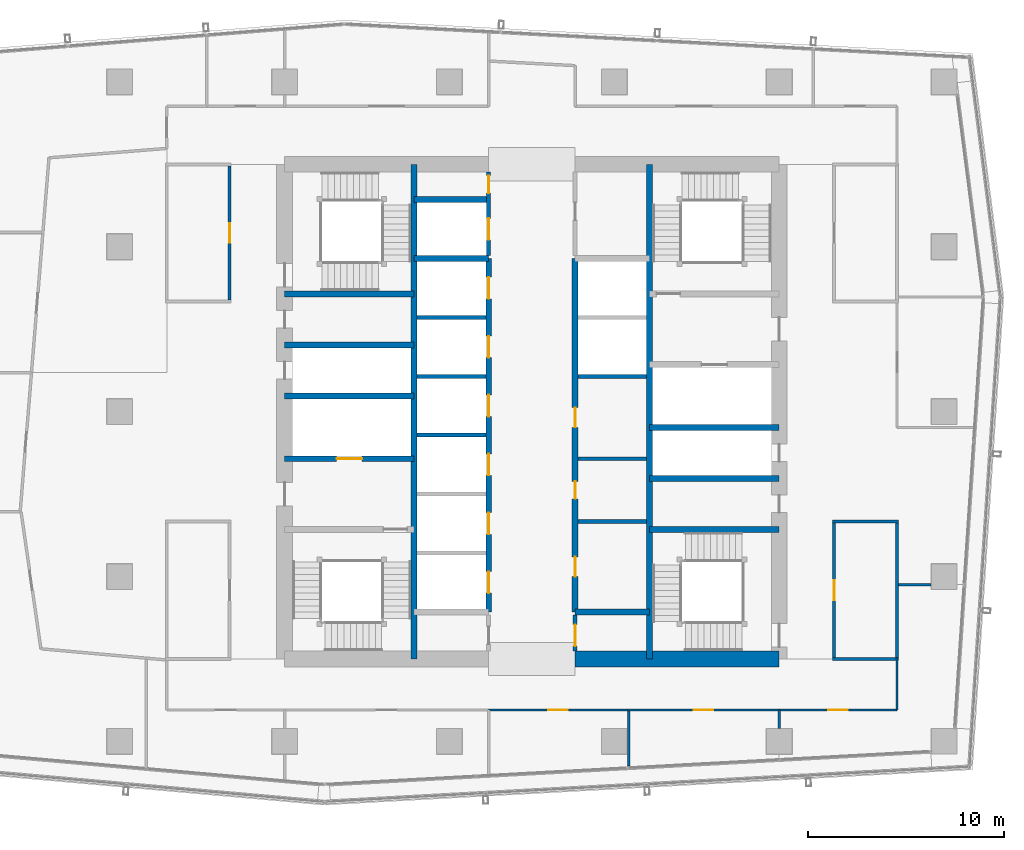
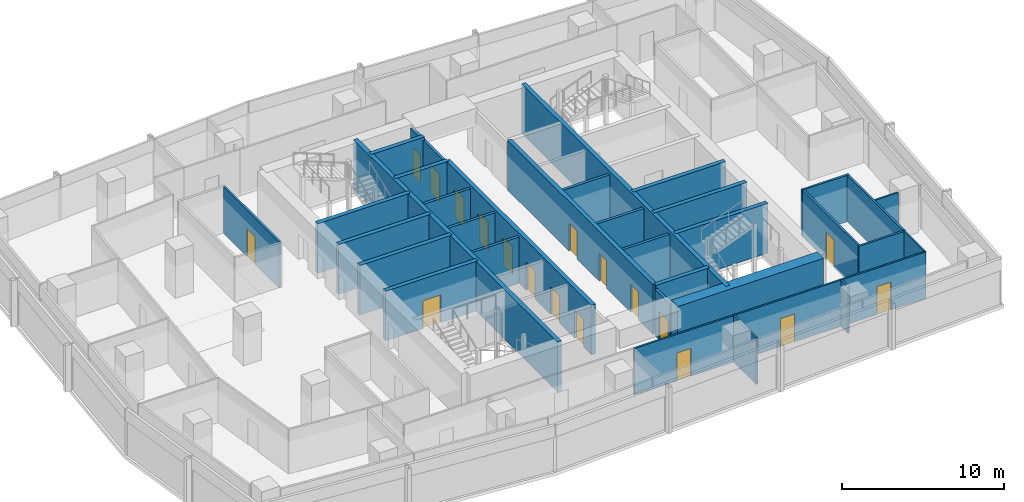
# One storey, part 23 of 29: 35 walls, 18 doors, 18 openings.
"""IFC4 building model written with IfcOpenShell, lengths in metres."""

import ifcopenshell
import ifcopenshell.guid

model = None  # the IFC model being written
_history = None  # IfcOwnerHistory: only IFC2X3 demands one
_inside = {}  # id of a spatial element -> (the spatial element, [elements in it])
_under = {}  # id of a project, library or spatial element -> (it, [spatial elements below it])
_declared = {}  # id of a project -> (the project, [libraries it declares])
_typed = {}  # id of a type object -> (the type object, [elements of that type])
_made_of = {}  # id of a material, layer set ... -> (it, [elements and type objects made of it])


def new_model(schema):
    """Start an empty IFC model of exactly this schema.

    Asked for "IFC4X3", IfcOpenShell would pick the latest addendum, in which some entities
    have other attributes; the version numbers below select the first issue.
    IFC2X3 requires an IfcOwnerHistory on every rooted entity: one is made here for all.
    """
    global model, _history
    if schema == "IFC4X3":
        model = ifcopenshell.file(schema_version=(4, 3, 0, 0))
    else:
        model = ifcopenshell.file(schema=schema)
    _inside.clear()
    _under.clear()
    _declared.clear()
    _typed.clear()
    _made_of.clear()
    _history = None
    if model.schema == "IFC2X3":
        org = make("IfcOrganization", Name="unknown")
        user = make(
            "IfcPersonAndOrganization",
            ThePerson=make("IfcPerson", FamilyName="unknown"),
            TheOrganization=org,
        )
        app = make(
            "IfcApplication",
            ApplicationDeveloper=org,
            Version="unknown",
            ApplicationFullName="unknown",
            ApplicationIdentifier="unknown",
        )
        _history = make(
            "IfcOwnerHistory",
            OwningUser=user,
            OwningApplication=app,
            ChangeAction="ADDED",
            CreationDate=0,
        )
    return model


def make(cls, **values):
    """One entity of the class cls with the attributes given. An attribute that is None is left unset."""
    return model.create_entity(
        cls, **{name: value for name, value in values.items() if value is not None}
    )


def rooted(cls, **values):
    """An entity with a GlobalId (a new one), such as an element, a storey or a relation."""
    return make(cls, GlobalId=ifcopenshell.guid.new(), OwnerHistory=_history, **values)


def si_unit(unit_type, name, prefix=None):
    """IfcSIUnit, for example si_unit("LENGTHUNIT", "METRE", prefix="MILLI")."""
    return make("IfcSIUnit", UnitType=unit_type, Prefix=prefix, Name=name)


def assignment(units):
    """IfcUnitAssignment: the units of a project."""
    return None if units is None else make("IfcUnitAssignment", Units=units)


def point(xyz):
    """IfcCartesianPoint."""
    return None if xyz is None else make("IfcCartesianPoint", Coordinates=xyz)


def direction(xyz):
    """IfcDirection."""
    return None if xyz is None else make("IfcDirection", DirectionRatios=xyz)


def frame(location, z_axis=None, x_axis=None):
    """IfcAxis2Placement3D, a coordinate frame: its origin and axes. An axis left out is left unset."""
    return make(
        "IfcAxis2Placement3D",
        Location=point(location),
        Axis=direction(z_axis),
        RefDirection=direction(x_axis),
    )


def frame_2d(location, x_axis=None):
    """IfcAxis2Placement2D, a coordinate frame in the plane: its origin and x axis."""
    return make(
        "IfcAxis2Placement2D", Location=point(location), RefDirection=direction(x_axis)
    )


def origin():
    """The frame at (0, 0, 0) with its axes left unset."""
    return frame((0.0, 0.0, 0.0))


def place(relative_to, where):
    """IfcLocalPlacement: puts the frame where relative to a parent placement (None: the world)."""
    return make(
        "IfcLocalPlacement", PlacementRelTo=relative_to, RelativePlacement=where
    )


def context(
    kind, dimensions, precision=None, world=None, true_north=None, identifier=None
):
    """IfcGeometricRepresentationContext, for example the 3D "Model" context."""
    return make(
        "IfcGeometricRepresentationContext",
        ContextIdentifier=identifier,
        ContextType=kind,
        CoordinateSpaceDimension=dimensions,
        Precision=precision,
        WorldCoordinateSystem=world,
        TrueNorth=true_north,
    )


def subcontext(parent, identifier, kind, view, scale=None):
    """IfcGeometricRepresentationSubContext, for example "Body" below "Model"."""
    return make(
        "IfcGeometricRepresentationSubContext",
        ContextIdentifier=identifier,
        ContextType=kind,
        ParentContext=parent,
        TargetScale=scale,
        TargetView=view,
    )


def project(units=None, contexts=None):
    """IfcProject with its units and contexts."""
    return rooted(
        "IfcProject",
        Name="project",
        RepresentationContexts=contexts,
        UnitsInContext=assignment(units),
    )


def spatial(cls, under=None, at=None, **own):
    """A site, building, storey or space (cls), placed at a placement, below another one or the project."""
    s = rooted(cls, ObjectPlacement=at, **own)
    if under is not None:
        _under.setdefault(under.id(), (under, []))[1].append(s)
    return s


def profile(cls, at=None, kind="AREA", **sizes):
    """A parametric profile (cls). Its sizes go by their IFC names, for example OverallWidth=200.0."""
    return make(cls, ProfileType=kind, Position=at, **sizes)


def rectangle(**sizes):
    """IfcRectangleProfileDef."""
    return profile("IfcRectangleProfileDef", **sizes)


def extrude(swept, where, along, depth):
    """IfcExtrudedAreaSolid: the profile swept, set in the frame where, extruded along a direction by depth."""
    return make(
        "IfcExtrudedAreaSolid",
        SweptArea=swept,
        Position=where,
        ExtrudedDirection=direction(along),
        Depth=depth,
    )


def shape(context_of_items, identifier, shape_type, items):
    """IfcShapeRepresentation: the items that make up one representation, for example the "Body"."""
    return make(
        "IfcShapeRepresentation",
        ContextOfItems=context_of_items,
        RepresentationIdentifier=identifier,
        RepresentationType=shape_type,
        Items=items,
    )


def material(Name=None, Category=None):
    """IfcMaterial."""
    return make("IfcMaterial", Name=Name, Category=Category)


def layer(
    of_material, thickness, ventilated=None, Name=None, Category=None, Priority=None
):
    """IfcMaterialLayer: one layer of a wall or slab, of a material (None: an air gap)."""
    return make(
        "IfcMaterialLayer",
        Material=of_material,
        LayerThickness=thickness,
        IsVentilated=ventilated,
        Name=Name,
        Category=Category,
        Priority=Priority,
    )


def layer_set(layers, Name=None):
    """IfcMaterialLayerSet."""
    return make("IfcMaterialLayerSet", MaterialLayers=layers, LayerSetName=Name)


def made_of(thing, what):
    """Note that an element or type object is made of a material, layer set ...; save() writes the relation."""
    if what is not None:
        _made_of.setdefault(what.id(), (what, []))[1].append(thing)
    return thing


def type_object(cls, material=None, **own):
    """A type object (cls), such as IfcWallType, which elements share."""
    return made_of(rooted(cls, **own), material)


def element(
    cls,
    number,
    at=None,
    inside=None,
    cuts=None,
    type_object=None,
    material=None,
    context=None,
    identifier="Body",
    shape_type=None,
    held_by="IfcProductDefinitionShape",
    body=None,
    shapes=None,
    **own,
):
    """One element of the class cls, such as IfcWall. Its Tag is "e" and its number.

    at: its placement. inside: the storey or other place that contains it. cuts: it is an
    opening in that element (IfcRelVoidsElement). A single representation is given by context,
    identifier, shape_type and body (its items); several are given by shapes. held_by: the class
    of the entity that holds the representations. save() writes the other relations.
    """
    e = rooted(cls, Tag="e%d" % number, ObjectPlacement=at, **own)
    if body is not None:
        shapes = [shape(context, identifier, shape_type, body)]
    if shapes is not None:
        e.Representation = make(held_by, Representations=shapes)
    if inside is not None:
        _inside.setdefault(inside.id(), (inside, []))[1].append(e)
    if cuts is not None:
        rooted(
            "IfcRelVoidsElement", RelatingBuildingElement=cuts, RelatedOpeningElement=e
        )
    if type_object is not None:
        _typed.setdefault(type_object.id(), (type_object, []))[1].append(e)
    return made_of(e, material)


def fill(opening, filler):
    """IfcRelFillsElement: the door or window that sits in an opening."""
    return rooted(
        "IfcRelFillsElement",
        RelatingOpeningElement=opening,
        RelatedBuildingElement=filler,
    )


def aggregate(whole, parts):
    """IfcRelAggregates: a whole, such as a stair, and the parts it consists of."""
    return rooted("IfcRelAggregates", RelatingObject=whole, RelatedObjects=parts)


def save(model, path):
    """Write the relations noted so far, then the file.

    IfcRelAggregates (storeys below a building ...), IfcRelContainedInSpatialStructure (elements
    in a storey), IfcRelDefinesByType, IfcRelAssociatesMaterial and IfcRelDeclares: one each for
    every whole, place, type object, material and project.
    """
    for whole, parts in _under.values():
        aggregate(whole, parts)
    for where, things in _inside.values():
        rooted(
            "IfcRelContainedInSpatialStructure",
            RelatedElements=things,
            RelatingStructure=where,
        )
    for kind, things in _typed.values():
        rooted("IfcRelDefinesByType", RelatedObjects=things, RelatingType=kind)
    for what, things in _made_of.values():
        rooted("IfcRelAssociatesMaterial", RelatedObjects=things, RelatingMaterial=what)
    for by, libraries in _declared.values():
        rooted("IfcRelDeclares", RelatingContext=by, RelatedDefinitions=libraries)
    model.write(path)


model = new_model("IFC4")

# Units and contexts
model_context = context("Model", 3, precision=1e-05, world=origin(), true_north=direction((0.0, 1.0)))
body_context = subcontext(model_context, "Body", "Model", "MODEL_VIEW")
ifc_project = project(units=[si_unit("LENGTHUNIT", "METRE"), si_unit("AREAUNIT", "SQUARE_METRE"), si_unit("VOLUMEUNIT", "CUBIC_METRE"), si_unit("PLANEANGLEUNIT", "RADIAN"), si_unit("MASSUNIT", "GRAM", prefix="KILO")], contexts=[model_context])

# Site, building, storey
site_placement = place(None, origin())
site = spatial("IfcSite", under=ifc_project, at=site_placement, CompositionType="ELEMENT")
building_placement = place(site_placement, origin())
building = spatial("IfcBuilding", under=site, at=building_placement, Name="Rekha Terrace Tower", CompositionType="ELEMENT")
storey_placement = place(building_placement, frame((0.0, 0.0, 276.35009765625)))
storey = spatial("IfcBuildingStorey", under=building, at=storey_placement, Name="L70", CompositionType="ELEMENT", Elevation=276.35009765625)

# Walls
ifc_material_1 = material(Name="Concrete M60", Category="concrete")
ifc_layer_1 = layer(ifc_material_1, 0.300048828125)
ifc_layer_set_1 = layer_set([ifc_layer_1], Name="Concrete M60")
wall_type_1 = type_object("IfcWallType", Name="CI5 300 core internal shear wall", PredefinedType="SHEAR", material=ifc_layer_set_1)
for number, where, z_axis, x_axis, name in (
    (1, (31.800048828125, 21.0, 0.0), (0.0, 0.0, 1.0), (0.0, 1.0, 0.0), "Core wall X318 L70"),
    (2, (43.800048828125, 21.0, 0.0), (0.0, 0.0, 1.0), (0.0, 1.0, 0.0), "Core wall X438 L70"),
):
    element("IfcWall", number, at=place(storey_placement, frame(where, z_axis=z_axis, x_axis=x_axis)), inside=storey, type_object=wall_type_1, Name=name, PredefinedType="SHEAR", context=body_context, shape_type="SweptSolid", body=[
        extrude(rectangle(XDim=25.199951171875, YDim=0.300048828125, at=frame_2d((12.60009765625, 0.0))), origin(), (0.0, 0.0, 1.0), 3.75),
    ])

# Wall, openings, doors
wall_1_placement = place(storey_placement, frame((35.60009765625, 23.39990234375, 0.0), z_axis=(0.0, 0.0, 1.0), x_axis=(0.0, 1.0, 0.0)))
wall_1 = element("IfcWall", 3, at=wall_1_placement, inside=storey, type_object=wall_type_1, Name="Core wall X356 L70", PredefinedType="SHEAR", context=body_context, shape_type="SweptSolid", body=[
    extrude(rectangle(XDim=18.0, YDim=0.300048828125, at=frame_2d((9.0, 0.0))), origin(), (0.0, 0.0, 1.0), 3.75),
])
opening_1_placement = place(wall_1_placement, frame((0.949951171875, 0.0, 0.0)))
opening_1 = element("IfcOpeningElement", 4, at=opening_1_placement, cuts=wall_1, Name="Opening LD1", PredefinedType="OPENING", context=body_context, shape_type="SweptSolid", body=[
    extrude(rectangle(XDim=1.10009765625, YDim=2.10009765625, at=frame_2d((0.550048828125, 1.050048828125))), frame((0.0, 0.159912109375, 0.0), z_axis=(0.0, -1.0, 0.0), x_axis=(1.0, 0.0, 0.0)), (0.0, 0.0, 1.0), 0.320068359375),
])
opening_2_placement = place(wall_1_placement, frame((3.949951171875, 0.0, 0.0)))
opening_2 = element("IfcOpeningElement", 5, at=opening_2_placement, cuts=wall_1, Name="Opening LD1", PredefinedType="OPENING", context=body_context, shape_type="SweptSolid", body=[
    extrude(rectangle(XDim=1.10009765625, YDim=2.10009765625, at=frame_2d((0.550048828125, 1.050048828125))), frame((0.0, 0.159912109375, 0.0), z_axis=(0.0, -1.0, 0.0), x_axis=(1.0, 0.0, 0.0)), (0.0, 0.0, 1.0), 0.320068359375),
])
opening_3_placement = place(wall_1_placement, frame((6.949951171875, 0.0, 0.0)))
opening_3 = element("IfcOpeningElement", 6, at=opening_3_placement, cuts=wall_1, Name="Opening LD1", PredefinedType="OPENING", context=body_context, shape_type="SweptSolid", body=[
    extrude(rectangle(XDim=1.10009765625, YDim=2.10009765625, at=frame_2d((0.550048828125, 1.050048828125))), frame((0.0, 0.159912109375, 0.0), z_axis=(0.0, -1.0, 0.0), x_axis=(1.0, 0.0, 0.0)), (0.0, 0.0, 1.0), 0.320068359375),
])
opening_4_placement = place(wall_1_placement, frame((9.949951171875, 0.0, 0.0)))
opening_4 = element("IfcOpeningElement", 7, at=opening_4_placement, cuts=wall_1, Name="Opening LD1", PredefinedType="OPENING", context=body_context, shape_type="SweptSolid", body=[
    extrude(rectangle(XDim=1.10009765625, YDim=2.10009765625, at=frame_2d((0.550048828125, 1.050048828125))), frame((0.0, 0.159912109375, 0.0), z_axis=(0.0, -1.0, 0.0), x_axis=(1.0, 0.0, 0.0)), (0.0, 0.0, 1.0), 0.320068359375),
])
opening_5_placement = place(wall_1_placement, frame((12.949951171875, 0.0, 0.0)))
opening_5 = element("IfcOpeningElement", 8, at=opening_5_placement, cuts=wall_1, Name="Opening LD1", PredefinedType="OPENING", context=body_context, shape_type="SweptSolid", body=[
    extrude(rectangle(XDim=1.10009765625, YDim=2.10009765625, at=frame_2d((0.550048828125, 1.050048828125))), frame((0.0, 0.159912109375, 0.0), z_axis=(0.0, -1.0, 0.0), x_axis=(1.0, 0.0, 0.0)), (0.0, 0.0, 1.0), 0.320068359375),
])
opening_6_placement = place(wall_1_placement, frame((15.949951171875, 0.0, 0.0)))
opening_6 = element("IfcOpeningElement", 9, at=opening_6_placement, cuts=wall_1, Name="Opening LD1", PredefinedType="OPENING", context=body_context, shape_type="SweptSolid", body=[
    extrude(rectangle(XDim=1.10009765625, YDim=2.10009765625, at=frame_2d((0.550048828125, 1.050048828125))), frame((0.0, 0.159912109375, 0.0), z_axis=(0.0, -1.0, 0.0), x_axis=(1.0, 0.0, 0.0)), (0.0, 0.0, 1.0), 0.320068359375),
])
ifc_material_2 = material(Name="Stainless steel sliding landing door", Category="steel")
door_type_1 = type_object("IfcDoorType", Name="LD1 1100x2100 lift landing door", OperationType="SLIDING_TO_LEFT", PredefinedType="USERDEFINED", material=ifc_material_2)
door_1_placement = place(opening_1_placement, origin())
door_1 = element("IfcDoor", 10, at=door_1_placement, inside=storey, type_object=door_type_1, Name="Lift D1 landing door L70", ObjectType="LIFT LANDING DOOR", OperationType="SLIDING_TO_LEFT", OverallHeight=2.10009765625, OverallWidth=1.10009765625, PredefinedType="USERDEFINED", context=body_context, shape_type="SweptSolid", body=[
    extrude(rectangle(XDim=1.10009765625, YDim=2.10009765625, at=frame_2d((0.550048828125, 1.050048828125))), frame((0.0, 0.02490234375, 0.0), z_axis=(0.0, -1.0, 0.0), x_axis=(1.0, 0.0, 0.0)), (0.0, 0.0, 1.0), 0.050048828125),
])
fill(opening_1, door_1)
door_2_placement = place(opening_2_placement, origin())
door_2 = element("IfcDoor", 11, at=door_2_placement, inside=storey, type_object=door_type_1, Name="Lift D2 landing door L70", ObjectType="LIFT LANDING DOOR", OperationType="SLIDING_TO_LEFT", OverallHeight=2.10009765625, OverallWidth=1.10009765625, PredefinedType="USERDEFINED", context=body_context, shape_type="SweptSolid", body=[
    extrude(rectangle(XDim=1.10009765625, YDim=2.10009765625, at=frame_2d((0.550048828125, 1.050048828125))), frame((0.0, 0.02490234375, 0.0), z_axis=(0.0, -1.0, 0.0), x_axis=(1.0, 0.0, 0.0)), (0.0, 0.0, 1.0), 0.050048828125),
])
fill(opening_2, door_2)
door_3_placement = place(opening_3_placement, origin())
door_3 = element("IfcDoor", 12, at=door_3_placement, inside=storey, type_object=door_type_1, Name="Lift D3 landing door L70", ObjectType="LIFT LANDING DOOR", OperationType="SLIDING_TO_LEFT", OverallHeight=2.10009765625, OverallWidth=1.10009765625, PredefinedType="USERDEFINED", context=body_context, shape_type="SweptSolid", body=[
    extrude(rectangle(XDim=1.10009765625, YDim=2.10009765625, at=frame_2d((0.550048828125, 1.050048828125))), frame((0.0, 0.02490234375, 0.0), z_axis=(0.0, -1.0, 0.0), x_axis=(1.0, 0.0, 0.0)), (0.0, 0.0, 1.0), 0.050048828125),
])
fill(opening_3, door_3)
door_4_placement = place(opening_4_placement, origin())
door_4 = element("IfcDoor", 13, at=door_4_placement, inside=storey, type_object=door_type_1, Name="Lift D4 landing door L70", ObjectType="LIFT LANDING DOOR", OperationType="SLIDING_TO_LEFT", OverallHeight=2.10009765625, OverallWidth=1.10009765625, PredefinedType="USERDEFINED", context=body_context, shape_type="SweptSolid", body=[
    extrude(rectangle(XDim=1.10009765625, YDim=2.10009765625, at=frame_2d((0.550048828125, 1.050048828125))), frame((0.0, 0.02490234375, 0.0), z_axis=(0.0, -1.0, 0.0), x_axis=(1.0, 0.0, 0.0)), (0.0, 0.0, 1.0), 0.050048828125),
])
fill(opening_4, door_4)
door_5_placement = place(opening_5_placement, origin())
door_5 = element("IfcDoor", 14, at=door_5_placement, inside=storey, type_object=door_type_1, Name="Lift D5 landing door L70", ObjectType="LIFT LANDING DOOR", OperationType="SLIDING_TO_LEFT", OverallHeight=2.10009765625, OverallWidth=1.10009765625, PredefinedType="USERDEFINED", context=body_context, shape_type="SweptSolid", body=[
    extrude(rectangle(XDim=1.10009765625, YDim=2.10009765625, at=frame_2d((0.550048828125, 1.050048828125))), frame((0.0, 0.02490234375, 0.0), z_axis=(0.0, -1.0, 0.0), x_axis=(1.0, 0.0, 0.0)), (0.0, 0.0, 1.0), 0.050048828125),
])
fill(opening_5, door_5)
door_6_placement = place(opening_6_placement, origin())
door_6 = element("IfcDoor", 15, at=door_6_placement, inside=storey, type_object=door_type_1, Name="Lift D6 landing door L70", ObjectType="LIFT LANDING DOOR", OperationType="SLIDING_TO_LEFT", OverallHeight=2.10009765625, OverallWidth=1.10009765625, PredefinedType="USERDEFINED", context=body_context, shape_type="SweptSolid", body=[
    extrude(rectangle(XDim=1.10009765625, YDim=2.10009765625, at=frame_2d((0.550048828125, 1.050048828125))), frame((0.0, 0.02490234375, 0.0), z_axis=(0.0, -1.0, 0.0), x_axis=(1.0, 0.0, 0.0)), (0.0, 0.0, 1.0), 0.050048828125),
])
fill(opening_6, door_6)

wall_2_placement = place(storey_placement, frame((40.0, 23.39990234375, 0.0), z_axis=(0.0, 0.0, 1.0), x_axis=(0.0, 1.0, 0.0)))
wall_2 = element("IfcWall", 16, at=wall_2_placement, inside=storey, type_object=wall_type_1, Name="Core wall X400 L70", PredefinedType="SHEAR", context=body_context, shape_type="SweptSolid", body=[
    extrude(rectangle(XDim=18.0, YDim=0.300048828125, at=frame_2d((9.0, 0.0))), origin(), (0.0, 0.0, 1.0), 3.75),
])
opening_7_placement = place(wall_2_placement, frame((1.800048828125, 0.0, 0.0)))
opening_7 = element("IfcOpeningElement", 17, at=opening_7_placement, cuts=wall_2, Name="Opening D3", PredefinedType="OPENING", context=body_context, shape_type="SweptSolid", body=[
    extrude(rectangle(XDim=1.0, YDim=2.10009765625, at=frame_2d((0.5, 1.050048828125))), frame((0.0, 0.159912109375, 0.0), z_axis=(0.0, -1.0, 0.0), x_axis=(1.0, 0.0, 0.0)), (0.0, 0.0, 1.0), 0.320068359375),
])
opening_8_placement = place(wall_2_placement, frame((5.75, 0.0, 0.0)))
opening_8 = element("IfcOpeningElement", 18, at=opening_8_placement, cuts=wall_2, Name="Opening D5", PredefinedType="OPENING", context=body_context, shape_type="SweptSolid", body=[
    extrude(rectangle(XDim=0.89990234375, YDim=2.10009765625, at=frame_2d((0.449951171875, 1.050048828125))), frame((0.0, 0.159912109375, 0.0), z_axis=(0.0, -1.0, 0.0), x_axis=(1.0, 0.0, 0.0)), (0.0, 0.0, 1.0), 0.320068359375),
])
opening_9_placement = place(wall_2_placement, frame((9.39990234375, 0.0, 0.0)))
opening_9 = element("IfcOpeningElement", 19, at=opening_9_placement, cuts=wall_2, Name="Opening D3", PredefinedType="OPENING", context=body_context, shape_type="SweptSolid", body=[
    extrude(rectangle(XDim=1.0, YDim=2.10009765625, at=frame_2d((0.5, 1.050048828125))), frame((0.0, 0.159912109375, 0.0), z_axis=(0.0, -1.0, 0.0), x_axis=(1.0, 0.0, 0.0)), (0.0, 0.0, 1.0), 0.320068359375),
])
ifc_material_3 = material(Name="Laminated timber fire door", Category="wood")
door_type_2 = type_object("IfcDoorType", Name="D3 1000x2100 WC door", OperationType="SINGLE_SWING_LEFT", PredefinedType="DOOR", material=ifc_material_3)
door_7_placement = place(opening_7_placement, origin())
door_7 = element("IfcDoor", 20, at=door_7_placement, inside=storey, type_object=door_type_2, Name="Door staff wc L70", OperationType="SINGLE_SWING_LEFT", OverallHeight=2.10009765625, OverallWidth=1.0, PredefinedType="DOOR", context=body_context, shape_type="SweptSolid", body=[
    extrude(rectangle(XDim=1.0, YDim=2.10009765625, at=frame_2d((0.5, 1.050048828125))), frame((0.0, 0.02490234375, 0.0), z_axis=(0.0, -1.0, 0.0), x_axis=(1.0, 0.0, 0.0)), (0.0, 0.0, 1.0), 0.050048828125),
])
fill(opening_7, door_7)
door_8_placement = place(opening_9_placement, origin())
door_8 = element("IfcDoor", 21, at=door_8_placement, inside=storey, type_object=door_type_2, Name="Door staff wc L70", OperationType="SINGLE_SWING_LEFT", OverallHeight=2.10009765625, OverallWidth=1.0, PredefinedType="DOOR", context=body_context, shape_type="SweptSolid", body=[
    extrude(rectangle(XDim=1.0, YDim=2.10009765625, at=frame_2d((0.5, 1.050048828125))), frame((0.0, 0.02490234375, 0.0), z_axis=(0.0, -1.0, 0.0), x_axis=(1.0, 0.0, 0.0)), (0.0, 0.0, 1.0), 0.050048828125),
])
fill(opening_9, door_8)
ifc_material_4 = material(Name="Steel fire door", Category="steel")
door_type_3 = type_object("IfcDoorType", Name="D5 900x2100 riser access door", OperationType="SINGLE_SWING_LEFT", PredefinedType="DOOR", material=ifc_material_4)
door_9_placement = place(opening_8_placement, origin())
door_9 = element("IfcDoor", 22, at=door_9_placement, inside=storey, type_object=door_type_3, Name="Door records store L70", OperationType="SINGLE_SWING_LEFT", OverallHeight=2.10009765625, OverallWidth=0.89990234375, PredefinedType="DOOR", context=body_context, shape_type="SweptSolid", body=[
    extrude(rectangle(XDim=0.89990234375, YDim=2.10009765625, at=frame_2d((0.449951171875, 1.050048828125))), frame((0.0, 0.02490234375, 0.0), z_axis=(0.0, -1.0, 0.0), x_axis=(1.0, 0.0, 0.0)), (0.0, 0.0, 1.0), 0.050048828125),
])
fill(opening_8, door_9)

# Walls
for number, where, z_axis, x_axis, name in (
    (23, (31.800048828125, 41.39990234375, 0.0), (0.0, 0.0, 1.0), (1.0, 0.0, 0.0), "Core wall Y414W L70"),
    (24, (31.800048828125, 44.39990234375, 0.0), (0.0, 0.0, 1.0), (1.0, 0.0, 0.0), "Core wall Y444W L70"),
    (25, (40.0, 23.39990234375, 0.0), (0.0, 0.0, 1.0), (1.0, 0.0, 0.0), "Core wall Y234E L70"),
):
    element("IfcWall", number, at=place(storey_placement, frame(where, z_axis=z_axis, x_axis=x_axis)), inside=storey, type_object=wall_type_1, Name=name, PredefinedType="SHEAR", context=body_context, shape_type="SweptSolid", body=[
        extrude(rectangle(XDim=3.800048828125, YDim=0.300048828125, at=frame_2d((1.89990234375, 0.0))), origin(), (0.0, 0.0, 1.0), 3.75),
    ])

# Wall, opening, door
wall_3_placement = place(storey_placement, frame((25.199951171875, 31.199951171875, 0.0), z_axis=(0.0, 0.0, 1.0), x_axis=(1.0, 0.0, 0.0)))
wall_3 = element("IfcWall", 26, at=wall_3_placement, inside=storey, type_object=wall_type_1, Name="Core wall Y312W L70", PredefinedType="SHEAR", context=body_context, shape_type="SweptSolid", body=[
    extrude(rectangle(XDim=6.60009765625, YDim=0.300048828125, at=frame_2d((3.300048828125, 0.0))), origin(), (0.0, 0.0, 1.0), 3.75),
])
opening_10_placement = place(wall_3_placement, frame((2.64990234375, 0.0, 0.0)))
opening_10 = element("IfcOpeningElement", 27, at=opening_10_placement, cuts=wall_3, Name="Opening LD2", PredefinedType="OPENING", context=body_context, shape_type="SweptSolid", body=[
    extrude(rectangle(XDim=1.300048828125, YDim=2.10009765625, at=frame_2d((0.64990234375, 1.050048828125))), frame((0.0, 0.159912109375, 0.0), z_axis=(0.0, -1.0, 0.0), x_axis=(1.0, 0.0, 0.0)), (0.0, 0.0, 1.0), 0.320068359375),
])
door_type_4 = type_object("IfcDoorType", Name="LD2 1300x2100 fire lift landing door", OperationType="SLIDING_TO_LEFT", PredefinedType="USERDEFINED", material=ifc_material_2)
door_10_placement = place(opening_10_placement, origin())
door_10 = element("IfcDoor", 28, at=door_10_placement, inside=storey, type_object=door_type_4, Name="Lift FL1 landing door L70", ObjectType="LIFT LANDING DOOR", OperationType="SLIDING_TO_LEFT", OverallHeight=2.10009765625, OverallWidth=1.300048828125, PredefinedType="USERDEFINED", context=body_context, shape_type="SweptSolid", body=[
    extrude(rectangle(XDim=1.300048828125, YDim=2.10009765625, at=frame_2d((0.64990234375, 1.050048828125))), frame((0.0, 0.02490234375, 0.0), z_axis=(0.0, -1.0, 0.0), x_axis=(1.0, 0.0, 0.0)), (0.0, 0.0, 1.0), 0.050048828125),
])
fill(opening_10, door_10)

# Walls
for number, where, z_axis, x_axis, name in (
    (29, (25.199951171875, 34.39990234375, 0.0), (0.0, 0.0, 1.0), (1.0, 0.0, 0.0), "Core wall Y344W L70"),
    (30, (25.199951171875, 37.0, 0.0), (0.0, 0.0, 1.0), (1.0, 0.0, 0.0), "Core wall Y370W L70"),
    (31, (25.199951171875, 39.60009765625, 0.0), (0.0, 0.0, 1.0), (1.0, 0.0, 0.0), "Core wall Y396W L70"),
):
    element("IfcWall", number, at=place(storey_placement, frame(where, z_axis=z_axis, x_axis=x_axis)), inside=storey, type_object=wall_type_1, Name=name, PredefinedType="SHEAR", context=body_context, shape_type="SweptSolid", body=[
        extrude(rectangle(XDim=6.60009765625, YDim=0.300048828125, at=frame_2d((3.300048828125, 0.0))), origin(), (0.0, 0.0, 1.0), 3.75),
    ])
for number, where, z_axis, x_axis, name in (
    (32, (43.800048828125, 27.60009765625, 0.0), (0.0, 0.0, 1.0), (1.0, 0.0, 0.0), "Core wall Y276E L70"),
    (33, (43.800048828125, 30.199951171875, 0.0), (0.0, 0.0, 1.0), (1.0, 0.0, 0.0), "Core wall Y302E L70"),
    (34, (43.800048828125, 32.800048828125, 0.0), (0.0, 0.0, 1.0), (1.0, 0.0, 0.0), "Core wall Y328E L70"),
):
    element("IfcWall", number, at=place(storey_placement, frame(where, z_axis=z_axis, x_axis=x_axis)), inside=storey, type_object=wall_type_1, Name=name, PredefinedType="SHEAR", context=body_context, shape_type="SweptSolid", body=[
        extrude(rectangle(XDim=6.599853515625, YDim=0.300048828125, at=frame_2d((3.2998046875, 0.0))), origin(), (0.0, 0.0, 1.0), 3.75),
    ])
ifc_layer_2 = layer(ifc_material_1, 0.800048828125)
ifc_layer_set_2 = layer_set([ifc_layer_2], Name="Concrete M60")
wall_type_2 = type_object("IfcWallType", Name="SW5 800 core outer shear wall", PredefinedType="SHEAR", material=ifc_layer_set_2)
wall_4_placement = place(storey_placement, frame((40.0, 21.0, 0.0), z_axis=(0.0, 0.0, 1.0), x_axis=(1.0, 0.0, 0.0)))
element("IfcWall", 35, at=wall_4_placement, inside=storey, type_object=wall_type_2, Name="Core wall S2 L70", PredefinedType="SHEAR", context=body_context, shape_type="SweptSolid", body=[
    extrude(rectangle(XDim=10.39990234375, YDim=0.800048828125, at=frame_2d((5.199951171875, 0.0))), origin(), (0.0, 0.0, 1.0), 3.75),
])

# Wall, opening, door
ifc_material_5 = material(Name="Concrete block masonry, 1 hour", Category="masonry")
ifc_layer_3 = layer(ifc_material_5, 0.14990234375)
ifc_layer_set_3 = layer_set([ifc_layer_3], Name="Concrete block masonry, 1 hour")
wall_type_3 = type_object("IfcWallType", Name="WP2 150 tenancy partition", PredefinedType="PARTITIONING", material=ifc_layer_set_3)
wall_5_placement = place(storey_placement, frame((22.39990234375, 39.27490234375, 0.0), z_axis=(0.0, 0.0, 1.0), x_axis=(0.0, 1.0, 0.0)))
wall_5 = element("IfcWall", 36, at=wall_5_placement, inside=storey, type_object=wall_type_3, Name="Women's WC wall L70", PredefinedType="PARTITIONING", context=body_context, shape_type="SweptSolid", body=[
    extrude(rectangle(XDim=6.85009765625, YDim=0.14990234375, at=frame_2d((3.425048828125, 0.0))), origin(), (0.0, 0.0, 1.0), 3.5),
])
opening_11_placement = place(wall_5_placement, frame((2.925048828125, 0.0, 0.0)))
opening_11 = element("IfcOpeningElement", 37, at=opening_11_placement, cuts=wall_5, Name="Opening D3", PredefinedType="OPENING", context=body_context, shape_type="SweptSolid", body=[
    extrude(rectangle(XDim=1.0, YDim=2.10009765625, at=frame_2d((0.5, 1.050048828125))), frame((0.0, 0.0849609375, 0.0), z_axis=(0.0, -1.0, 0.0), x_axis=(1.0, 0.0, 0.0)), (0.0, 0.0, 1.0), 0.169921875),
])
door_11_placement = place(opening_11_placement, origin())
door_11 = element("IfcDoor", 38, at=door_11_placement, inside=storey, type_object=door_type_2, Name="Door women's wc L70", OperationType="SINGLE_SWING_LEFT", OverallHeight=2.10009765625, OverallWidth=1.0, PredefinedType="DOOR", context=body_context, shape_type="SweptSolid", body=[
    extrude(rectangle(XDim=1.0, YDim=2.10009765625, at=frame_2d((0.5, 1.050048828125))), frame((0.0, 0.02490234375, 0.0), z_axis=(0.0, -1.0, 0.0), x_axis=(1.0, 0.0, 0.0)), (0.0, 0.0, 1.0), 0.050048828125),
])
fill(opening_11, door_11)

# Walls
for number, where, z_axis, x_axis, name in (
    (39, (53.125, 21.0, 0.0), (0.0, 0.0, 1.0), (1.0, 0.0, 0.0), "Men's WC wall L70"),
    (40, (53.125, 28.0, 0.0), (0.0, 0.0, 1.0), (1.0, 0.0, 0.0), "Men's WC wall L70"),
):
    element("IfcWall", number, at=place(storey_placement, frame(where, z_axis=z_axis, x_axis=x_axis)), inside=storey, type_object=wall_type_3, Name=name, PredefinedType="PARTITIONING", context=body_context, shape_type="SweptSolid", body=[
        extrude(rectangle(XDim=3.35009765625, YDim=0.14990234375, at=frame_2d((1.675048828125, 0.0))), origin(), (0.0, 0.0, 1.0), 3.5),
    ])

# Wall, opening, door
wall_6_placement = place(storey_placement, frame((53.199951171875, 21.074951171875, 0.0), z_axis=(0.0, 0.0, 1.0), x_axis=(0.0, 1.0, 0.0)))
wall_6 = element("IfcWall", 41, at=wall_6_placement, inside=storey, type_object=wall_type_3, Name="Men's WC wall L70", PredefinedType="PARTITIONING", context=body_context, shape_type="SweptSolid", body=[
    extrude(rectangle(XDim=6.85009765625, YDim=0.14990234375, at=frame_2d((3.425048828125, 0.0))), origin(), (0.0, 0.0, 1.0), 3.5),
])
opening_12_placement = place(wall_6_placement, frame((2.925048828125, 0.0, 0.0)))
opening_12 = element("IfcOpeningElement", 42, at=opening_12_placement, cuts=wall_6, Name="Opening D3", PredefinedType="OPENING", context=body_context, shape_type="SweptSolid", body=[
    extrude(rectangle(XDim=1.0, YDim=2.10009765625, at=frame_2d((0.5, 1.050048828125))), frame((0.0, 0.0849609375, 0.0), z_axis=(0.0, -1.0, 0.0), x_axis=(1.0, 0.0, 0.0)), (0.0, 0.0, 1.0), 0.169921875),
])
door_12_placement = place(opening_12_placement, origin())
door_12 = element("IfcDoor", 43, at=door_12_placement, inside=storey, type_object=door_type_2, Name="Door men's wc L70", OperationType="SINGLE_SWING_LEFT", OverallHeight=2.10009765625, OverallWidth=1.0, PredefinedType="DOOR", context=body_context, shape_type="SweptSolid", body=[
    extrude(rectangle(XDim=1.0, YDim=2.10009765625, at=frame_2d((0.5, 1.050048828125))), frame((0.0, 0.02490234375, 0.0), z_axis=(0.0, -1.0, 0.0), x_axis=(1.0, 0.0, 0.0)), (0.0, 0.0, 1.0), 0.050048828125),
])
fill(opening_12, door_12)

# Wall
wall_7_placement = place(storey_placement, frame((56.39990234375, 21.074951171875, 0.0), z_axis=(0.0, 0.0, 1.0), x_axis=(0.0, 1.0, 0.0)))
element("IfcWall", 44, at=wall_7_placement, inside=storey, type_object=wall_type_3, Name="Men's WC wall L70", PredefinedType="PARTITIONING", context=body_context, shape_type="SweptSolid", body=[
    extrude(rectangle(XDim=6.85009765625, YDim=0.14990234375, at=frame_2d((3.425048828125, 0.0))), origin(), (0.0, 0.0, 1.0), 3.5),
])

# Wall, opening, door
ifc_material_6 = material(Name="Two layers of fire-rated gypsum board each side on steel studs, acoustic quilt, 1 hour", Category="steel")
ifc_layer_4 = layer(ifc_material_6, 0.125)
ifc_layer_set_4 = layer_set([ifc_layer_4], Name="Two layers of fire-rated gypsum board each side on steel studs, acoustic quilt, 1 hour")
wall_type_4 = type_object("IfcWallType", Name="WP3 125 office partition", PredefinedType="PARTITIONING", material=ifc_layer_set_4)
wall_8_placement = place(storey_placement, frame((35.59912109375, 18.39990234375, 0.0), z_axis=(0.0, 0.0, 1.0), x_axis=(1.0, 0.0, 0.0)))
wall_8 = element("IfcWall", 45, at=wall_8_placement, inside=storey, type_object=wall_type_4, Name="Partition L70-09", PredefinedType="PARTITIONING", context=body_context, shape_type="SweptSolid", body=[
    extrude(rectangle(XDim=7.073974609375, YDim=0.125, at=frame_2d((3.537109375, 0.0))), origin(), (0.0, 0.0, 1.0), 3.5),
])
opening_13_placement = place(wall_8_placement, frame((3.037109375, 0.0, 0.0)))
opening_13 = element("IfcOpeningElement", 46, at=opening_13_placement, cuts=wall_8, Name="Opening D9", PredefinedType="OPENING", context=body_context, shape_type="SweptSolid", body=[
    extrude(rectangle(XDim=1.0, YDim=2.10009765625, at=frame_2d((0.5, 1.050048828125))), frame((0.0, 0.072509765625, 0.0), z_axis=(0.0, -1.0, 0.0), x_axis=(1.0, 0.0, 0.0)), (0.0, 0.0, 1.0), 0.14501953125),
])
ifc_material_7 = material(Name="Timber fire door", Category="wood")
door_type_5 = type_object("IfcDoorType", Name="D9 1000x2100 office door", OperationType="SINGLE_SWING_LEFT", PredefinedType="DOOR", material=ifc_material_7)
door_13_placement = place(opening_13_placement, origin())
door_13 = element("IfcDoor", 47, at=door_13_placement, inside=storey, type_object=door_type_5, Name="Door wellness room L70", OperationType="SINGLE_SWING_LEFT", OverallHeight=2.10009765625, OverallWidth=1.0, PredefinedType="DOOR", context=body_context, shape_type="SweptSolid", body=[
    extrude(rectangle(XDim=1.0, YDim=2.10009765625, at=frame_2d((0.5, 1.050048828125))), frame((0.0, 0.02490234375, 0.0), z_axis=(0.0, -1.0, 0.0), x_axis=(1.0, 0.0, 0.0)), (0.0, 0.0, 1.0), 0.050048828125),
])
fill(opening_13, door_13)

# Wall
wall_9_placement = place(storey_placement, frame((42.741943359375, 18.3369140625, 0.0), z_axis=(0.0, 0.0, 1.0), x_axis=(0.0, -1.0, 0.0)))
element("IfcWall", 48, at=wall_9_placement, inside=storey, type_object=wall_type_4, Name="Partition L70-09", PredefinedType="PARTITIONING", context=body_context, shape_type="SweptSolid", body=[
    extrude(rectangle(XDim=2.798828125, YDim=0.125, at=frame_2d((1.3994140625, 0.0))), origin(), (0.0, 0.0, 1.0), 3.5),
])

# Wall, opening, door
wall_10_placement = place(storey_placement, frame((42.674072265625, 18.39990234375, 0.0), z_axis=(0.0, 0.0, 1.0), x_axis=(1.0, 0.0, 0.0)))
wall_10 = element("IfcWall", 49, at=wall_10_placement, inside=storey, type_object=wall_type_4, Name="Partition L70-10", PredefinedType="PARTITIONING", context=body_context, shape_type="SweptSolid", body=[
    extrude(rectangle(XDim=7.725830078125, YDim=0.125, at=frame_2d((3.86279296875, 0.0))), origin(), (0.0, 0.0, 1.0), 3.5),
])
opening_14_placement = place(wall_10_placement, frame((3.363037109375, 0.0, 0.0)))
opening_14 = element("IfcOpeningElement", 50, at=opening_14_placement, cuts=wall_10, Name="Opening D9", PredefinedType="OPENING", context=body_context, shape_type="SweptSolid", body=[
    extrude(rectangle(XDim=1.0, YDim=2.10009765625, at=frame_2d((0.5, 1.050048828125))), frame((0.0, 0.072509765625, 0.0), z_axis=(0.0, -1.0, 0.0), x_axis=(1.0, 0.0, 0.0)), (0.0, 0.0, 1.0), 0.14501953125),
])
door_14_placement = place(opening_14_placement, origin())
door_14 = element("IfcDoor", 51, at=door_14_placement, inside=storey, type_object=door_type_5, Name="Door board meeting room L70", OperationType="SINGLE_SWING_LEFT", OverallHeight=2.10009765625, OverallWidth=1.0, PredefinedType="DOOR", context=body_context, shape_type="SweptSolid", body=[
    extrude(rectangle(XDim=1.0, YDim=2.10009765625, at=frame_2d((0.5, 1.050048828125))), frame((0.0, 0.02490234375, 0.0), z_axis=(0.0, -1.0, 0.0), x_axis=(1.0, 0.0, 0.0)), (0.0, 0.0, 1.0), 0.050048828125),
])
fill(opening_14, door_14)

# Walls
wall_11_placement = place(storey_placement, frame((50.39990234375, 18.39990234375, 0.0), z_axis=(0.0, 0.0, 1.0), x_axis=(0.0, -1.0, 0.0)))
element("IfcWall", 52, at=wall_11_placement, inside=storey, type_object=wall_type_4, Name="Partition L70-10", PredefinedType="PARTITIONING", context=body_context, shape_type="SweptSolid", body=[
    extrude(rectangle(XDim=0.929931640625, YDim=0.125, at=frame_2d((0.46484375, 0.0))), origin(), (0.0, 0.0, 1.0), 3.5),
])
wall_12_placement = place(storey_placement, frame((56.47509765625, 24.785888671875, 0.0), z_axis=(0.0, 0.0, 1.0), x_axis=(1.0, 0.0, 0.0)))
element("IfcWall", 53, at=wall_12_placement, inside=storey, type_object=wall_type_4, Name="Partition L70-11", PredefinedType="PARTITIONING", context=body_context, shape_type="SweptSolid", body=[
    extrude(rectangle(XDim=1.65478515625, YDim=0.125, at=frame_2d((0.827392578125, 0.0))), origin(), (0.0, 0.0, 1.0), 3.5),
])

# Wall, opening, door
wall_13_placement = place(storey_placement, frame((50.40087890625, 18.39990234375, 0.0), z_axis=(0.0, 0.0, 1.0), x_axis=(1.0, 0.0, 0.0)))
wall_13 = element("IfcWall", 54, at=wall_13_placement, inside=storey, type_object=wall_type_4, Name="Partition L70-11", PredefinedType="PARTITIONING", context=body_context, shape_type="SweptSolid", body=[
    extrude(rectangle(XDim=5.9990234375, YDim=0.125, at=frame_2d((2.99951171875, 0.0))), origin(), (0.0, 0.0, 1.0), 3.5),
])
opening_15_placement = place(wall_13_placement, frame((2.4990234375, 0.0, 0.0)))
opening_15 = element("IfcOpeningElement", 55, at=opening_15_placement, cuts=wall_13, Name="Opening D9", PredefinedType="OPENING", context=body_context, shape_type="SweptSolid", body=[
    extrude(rectangle(XDim=1.0, YDim=2.10009765625, at=frame_2d((0.5, 1.050048828125))), frame((0.0, 0.072509765625, 0.0), z_axis=(0.0, -1.0, 0.0), x_axis=(1.0, 0.0, 0.0)), (0.0, 0.0, 1.0), 0.14501953125),
])
door_15_placement = place(opening_15_placement, origin())
door_15 = element("IfcDoor", 56, at=door_15_placement, inside=storey, type_object=door_type_5, Name="Door chairman's office L70", OperationType="SINGLE_SWING_LEFT", OverallHeight=2.10009765625, OverallWidth=1.0, PredefinedType="DOOR", context=body_context, shape_type="SweptSolid", body=[
    extrude(rectangle(XDim=1.0, YDim=2.10009765625, at=frame_2d((0.5, 1.050048828125))), frame((0.0, 0.02490234375, 0.0), z_axis=(0.0, -1.0, 0.0), x_axis=(1.0, 0.0, 0.0)), (0.0, 0.0, 1.0), 0.050048828125),
])
fill(opening_15, door_15)

# Walls
wall_14_placement = place(storey_placement, frame((56.39990234375, 18.39990234375, 0.0), z_axis=(0.0, 0.0, 1.0), x_axis=(0.0, 1.0, 0.0)))
element("IfcWall", 57, at=wall_14_placement, inside=storey, type_object=wall_type_4, Name="Partition L70-11", PredefinedType="PARTITIONING", context=body_context, shape_type="SweptSolid", body=[
    extrude(rectangle(XDim=2.675048828125, YDim=0.125, at=frame_2d((1.33740234375, 0.0))), origin(), (0.0, 0.0, 1.0), 3.5),
])
ifc_material_8 = material(Name="Solid concrete block masonry, 2 hour", Category="masonry")
ifc_layer_5 = layer(ifc_material_8, 0.199951171875)
ifc_layer_set_5 = layer_set([ifc_layer_5], Name="Solid concrete block masonry, 2 hour")
wall_type_5 = type_object("IfcWallType", Name="WS1 200 stair and shaft enclosure", PredefinedType="PARTITIONING", material=ifc_layer_set_5)
for number, where, z_axis, x_axis, name in (
    (58, (31.949951171875, 32.39990234375, 0.0), (0.0, 0.0, 1.0), (1.0, 0.0, 0.0), "Lift shaft divider L70"),
    (59, (31.949951171875, 35.39990234375, 0.0), (0.0, 0.0, 1.0), (1.0, 0.0, 0.0), "Lift shaft divider L70"),
    (60, (31.949951171875, 38.39990234375, 0.0), (0.0, 0.0, 1.0), (1.0, 0.0, 0.0), "Lift shaft divider L70"),
    (61, (40.14990234375, 35.39990234375, 0.0), (0.0, 0.0, 1.0), (1.0, 0.0, 0.0), "Lift shaft divider L70"),
):
    element("IfcWall", number, at=place(storey_placement, frame(where, z_axis=z_axis, x_axis=x_axis)), inside=storey, type_object=wall_type_5, Name=name, PredefinedType="PARTITIONING", context=body_context, shape_type="SweptSolid", body=[
        extrude(rectangle(XDim=3.5, YDim=0.199951171875, at=frame_2d((1.75, 0.0))), origin(), (0.0, 0.0, 1.0), 3.5),
    ])

# Wall, opening, door
wall_15_placement = place(storey_placement, frame((40.0, 21.39990234375, 0.0), z_axis=(0.0, 0.0, 1.0), x_axis=(0.0, 1.0, 0.0)))
wall_15 = element("IfcWall", 62, at=wall_15_placement, inside=storey, type_object=wall_type_5, Name="Core partition wca L70", PredefinedType="PARTITIONING", context=body_context, shape_type="SweptSolid", body=[
    extrude(rectangle(XDim=1.85009765625, YDim=0.199951171875, at=frame_2d((0.925048828125, 0.0))), origin(), (0.0, 0.0, 1.0), 3.5),
])
opening_16_placement = place(wall_15_placement, frame((0.25, 0.0, 0.0)))
opening_16 = element("IfcOpeningElement", 63, at=opening_16_placement, cuts=wall_15, Name="Opening D4", PredefinedType="OPENING", context=body_context, shape_type="SweptSolid", body=[
    extrude(rectangle(XDim=1.10009765625, YDim=2.10009765625, at=frame_2d((0.550048828125, 1.050048828125))), frame((0.0, 0.10986328125, 0.0), z_axis=(0.0, -1.0, 0.0), x_axis=(1.0, 0.0, 0.0)), (0.0, 0.0, 1.0), 0.219970703125),
])
door_type_6 = type_object("IfcDoorType", Name="D4 1100x2100 accessible WC door", OperationType="SLIDING_TO_LEFT", PredefinedType="DOOR", material=ifc_material_3)
door_16_placement = place(opening_16_placement, origin())
door_16 = element("IfcDoor", 64, at=door_16_placement, inside=storey, type_object=door_type_6, Name="Door wca L70", OperationType="SLIDING_TO_LEFT", OverallHeight=2.10009765625, OverallWidth=1.10009765625, PredefinedType="DOOR", context=body_context, shape_type="SweptSolid", body=[
    extrude(rectangle(XDim=1.10009765625, YDim=2.10009765625, at=frame_2d((0.550048828125, 1.050048828125))), frame((0.0, 0.02490234375, 0.0), z_axis=(0.0, -1.0, 0.0), x_axis=(1.0, 0.0, 0.0)), (0.0, 0.0, 1.0), 0.050048828125),
])
fill(opening_16, door_16)

# Wall, openings, doors
wall_16_placement = place(storey_placement, frame((35.60009765625, 41.550048828125, 0.0), z_axis=(0.0, 0.0, 1.0), x_axis=(0.0, 1.0, 0.0)))
wall_16 = element("IfcWall", 65, at=wall_16_placement, inside=storey, type_object=wall_type_5, Name="Core partition jansv L70", PredefinedType="PARTITIONING", context=body_context, shape_type="SweptSolid", body=[
    extrude(rectangle(XDim=4.25, YDim=0.199951171875, at=frame_2d((2.125, 0.0))), origin(), (0.0, 0.0, 1.0), 3.5),
])
opening_17_placement = place(wall_16_placement, frame((3.175048828125, 0.0, 0.0)))
opening_17 = element("IfcOpeningElement", 66, at=opening_17_placement, cuts=wall_16, Name="Opening D5", PredefinedType="OPENING", context=body_context, shape_type="SweptSolid", body=[
    extrude(rectangle(XDim=0.89990234375, YDim=2.10009765625, at=frame_2d((0.449951171875, 1.050048828125))), frame((0.0, 0.10986328125, 0.0), z_axis=(0.0, -1.0, 0.0), x_axis=(1.0, 0.0, 0.0)), (0.0, 0.0, 1.0), 0.219970703125),
])
opening_18_placement = place(wall_16_placement, frame((0.800048828125, 0.0, 0.0)))
opening_18 = element("IfcOpeningElement", 67, at=opening_18_placement, cuts=wall_16, Name="Opening LD1", PredefinedType="OPENING", context=body_context, shape_type="SweptSolid", body=[
    extrude(rectangle(XDim=1.10009765625, YDim=2.10009765625, at=frame_2d((0.550048828125, 1.050048828125))), frame((0.0, 0.10986328125, 0.0), z_axis=(0.0, -1.0, 0.0), x_axis=(1.0, 0.0, 0.0)), (0.0, 0.0, 1.0), 0.219970703125),
])
door_17_placement = place(opening_17_placement, origin())
door_17 = element("IfcDoor", 68, at=door_17_placement, inside=storey, type_object=door_type_3, Name="Door janitor room L70", OperationType="SINGLE_SWING_LEFT", OverallHeight=2.10009765625, OverallWidth=0.89990234375, PredefinedType="DOOR", context=body_context, shape_type="SweptSolid", body=[
    extrude(rectangle(XDim=0.89990234375, YDim=2.10009765625, at=frame_2d((0.449951171875, 1.050048828125))), frame((0.0, 0.02490234375, 0.0), z_axis=(0.0, -1.0, 0.0), x_axis=(1.0, 0.0, 0.0)), (0.0, 0.0, 1.0), 0.050048828125),
])
fill(opening_17, door_17)
door_18_placement = place(opening_18_placement, origin())
door_18 = element("IfcDoor", 69, at=door_18_placement, inside=storey, type_object=door_type_1, Name="Lift SV1 landing door L70", ObjectType="LIFT LANDING DOOR", OperationType="SLIDING_TO_LEFT", OverallHeight=2.10009765625, OverallWidth=1.10009765625, PredefinedType="USERDEFINED", context=body_context, shape_type="SweptSolid", body=[
    extrude(rectangle(XDim=1.10009765625, YDim=2.10009765625, at=frame_2d((0.550048828125, 1.050048828125))), frame((0.0, 0.02490234375, 0.0), z_axis=(0.0, -1.0, 0.0), x_axis=(1.0, 0.0, 0.0)), (0.0, 0.0, 1.0), 0.050048828125),
])
fill(opening_18, door_18)

# Walls
for number, where, z_axis, x_axis, name in (
    (70, (40.14990234375, 28.0, 0.0), (0.0, 0.0, 1.0), (1.0, 0.0, 0.0), "Core partition freed shafts L70"),
    (71, (40.14990234375, 31.199951171875, 0.0), (0.0, 0.0, 1.0), (1.0, 0.0, 0.0), "Core partition freed shafts L70"),
):
    element("IfcWall", number, at=place(storey_placement, frame(where, z_axis=z_axis, x_axis=x_axis)), inside=storey, type_object=wall_type_5, Name=name, PredefinedType="PARTITIONING", context=body_context, shape_type="SweptSolid", body=[
        extrude(rectangle(XDim=3.5, YDim=0.199951171875, at=frame_2d((1.75, 0.0))), origin(), (0.0, 0.0, 1.0), 3.5),
    ])

save(model, "model.ifc")
